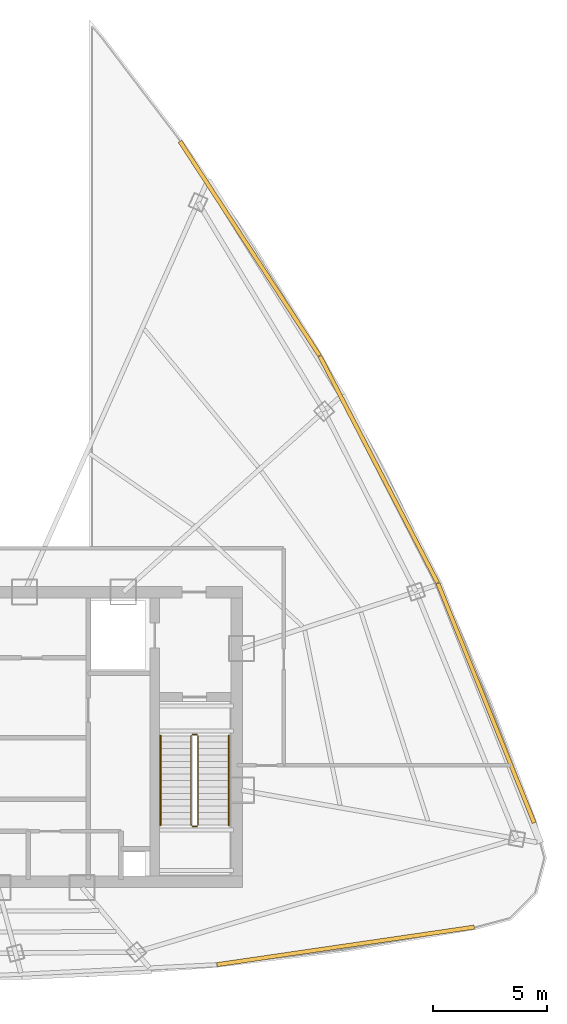
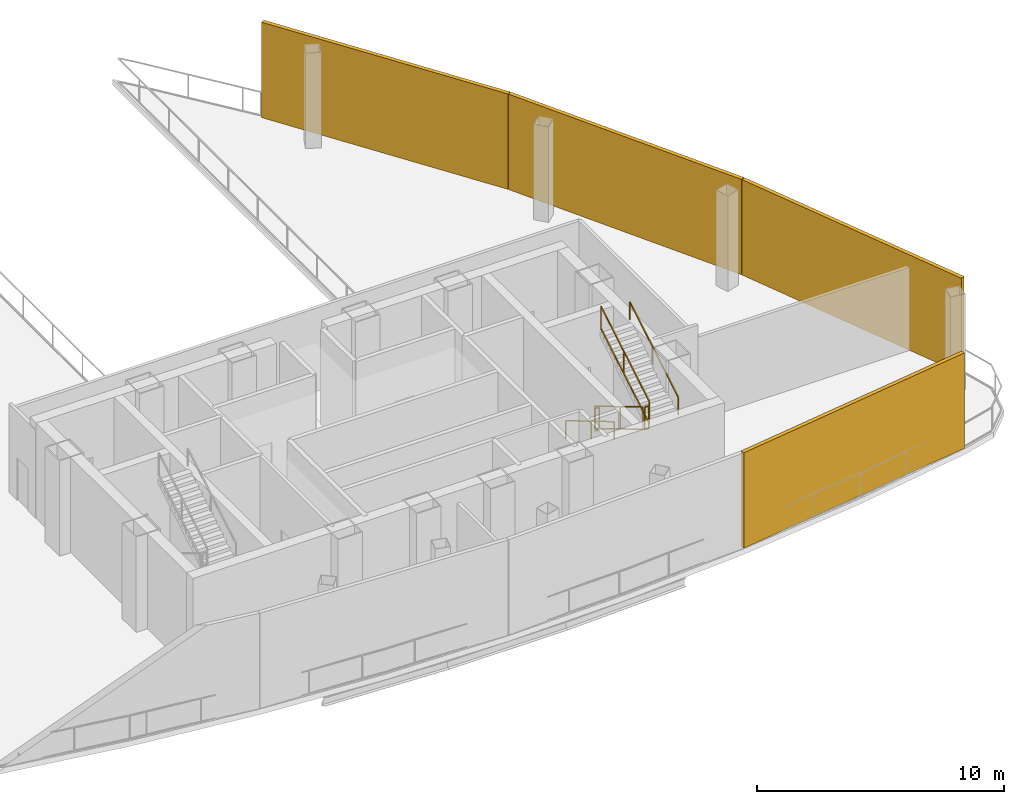
# One storey, part 6 of 6: 6 railings, 4 shading devices.
"""IFC4 building model written with IfcOpenShell, lengths in metres."""

from ifc_helpers import new_model, si_unit, direction, frame, origin, origin_2d, place, context, subcontext, project, spatial, rectangle, extrude, source, transform, mapped, material, layer, layer_set, type_object, element, save


model = new_model("IFC4")

# Units and contexts
model_context = context("Model", 3, precision=1e-05, world=origin(), true_north=direction((0.0, 1.0)))
body_context = subcontext(model_context, "Body", "Model", "MODEL_VIEW")
ifc_project = project(units=[si_unit("LENGTHUNIT", "METRE"), si_unit("AREAUNIT", "SQUARE_METRE"), si_unit("VOLUMEUNIT", "CUBIC_METRE"), si_unit("PLANEANGLEUNIT", "RADIAN"), si_unit("MASSUNIT", "GRAM", prefix="KILO"), si_unit("THERMODYNAMICTEMPERATUREUNIT", "KELVIN"), si_unit("POWERUNIT", "WATT")], contexts=[model_context])

# Site, building, storey
site_placement = place(None, origin())
site = spatial("IfcSite", under=ifc_project, at=site_placement, CompositionType="ELEMENT")
building_placement = place(site_placement, origin())
building = spatial("IfcBuilding", under=site, at=building_placement, Name="Yunzhuo Pagoda Commons", CompositionType="ELEMENT")
storey_placement = place(building_placement, frame((0.0, 0.0, 381.760009765625)))
storey = spatial("IfcBuildingStorey", under=building, at=storey_placement, Name="L95", CompositionType="ELEMENT", Elevation=381.760009765625)

# Railings
ifc_material = material(Name="Anodized aluminium 6063-T6", Category="aluminium")
railing_type_1 = type_object("IfcRailingType", Name="GR-ST2 Stair Well Guardrail 1160", PredefinedType="GUARDRAIL", material=ifc_material)
railing_1_placement = place(storey_placement, frame((58.199951171875, 33.89990234375, 0.166748046875)))
element("IfcRailing", 1, at=railing_1_placement, inside=storey, type_object=railing_type_1, Name="L95 ST2 stair guard 1", PredefinedType="GUARDRAIL", context=body_context, shape_type="SweptSolid", body=[
    extrude(rectangle(XDim=0.048095703125, YDim=0.048095703125, at=origin_2d()), frame((0.0, 0.0, 1.1259765625), z_axis=(0.0, -0.859296244711, 0.511478214419), x_axis=(1.0, 0.0, 0.0)), (0.0, 0.0, 1.0), 4.561767578125),
    extrude(rectangle(XDim=0.048095703125, YDim=0.048095703125, at=origin_2d()), frame((0.0, 0.0, 0.02392578125), z_axis=(0.0, -0.859296244711, 0.511478214419), x_axis=(1.0, 0.0, 0.0)), (0.0, 0.0, 1.0), 4.561767578125),
    extrude(rectangle(XDim=0.0419921875, YDim=0.0419921875, at=origin_2d()), origin(), (0.0, 0.0, 1.0), 1.101806640625),
    extrude(rectangle(XDim=0.0419921875, YDim=0.0419921875, at=origin_2d()), frame((0.0, -2.062255859375, 1.2275390625)), (0.0, 0.0, 1.0), 1.101806640625),
    extrude(rectangle(XDim=0.0419921875, YDim=0.0419921875, at=origin_2d()), frame((0.0, -3.919921875, 2.333251953125)), (0.0, 0.0, 1.0), 1.101806640625),
])
railing_2_placement = place(storey_placement, frame((58.25, 29.929931640625, 2.5)))
element("IfcRailing", 2, at=railing_2_placement, inside=storey, type_object=railing_type_1, Name="L95 ST2 stair guard 2", PredefinedType="GUARDRAIL", context=body_context, shape_type="SweptSolid", body=[
    extrude(rectangle(XDim=0.048095703125, YDim=0.048095703125, at=origin_2d()), frame((0.0, 0.0, 1.1259765625), z_axis=(1.0, 0.0, 0.0), x_axis=(0.0, 1.0, 0.0)), (0.0, 0.0, 1.0), 0.199951171875),
    extrude(rectangle(XDim=0.048095703125, YDim=0.048095703125, at=origin_2d()), frame((0.0, 0.0, 0.02392578125), z_axis=(1.0, 0.0, 0.0), x_axis=(0.0, 1.0, 0.0)), (0.0, 0.0, 1.0), 0.199951171875),
    extrude(rectangle(XDim=0.0419921875, YDim=0.0419921875, at=origin_2d()), origin(), (0.0, 0.0, 1.0), 1.101806640625),
    extrude(rectangle(XDim=0.0419921875, YDim=0.0419921875, at=origin_2d()), frame((0.199951171875, 0.0, 0.0)), (0.0, 0.0, 1.0), 1.101806640625),
])
railing_3_placement = place(storey_placement, frame((58.5, 29.97998046875, 2.666748046875)))
element("IfcRailing", 3, at=railing_3_placement, inside=storey, type_object=railing_type_1, Name="L95 ST2 stair guard 3", PredefinedType="GUARDRAIL", context=body_context, shape_type="SweptSolid", body=[
    extrude(rectangle(XDim=0.048095703125, YDim=0.048095703125, at=origin_2d()), frame((0.0, 0.0, 1.1259765625), z_axis=(0.0, 0.859296244711, 0.511478214419), x_axis=(-1.0, 0.0, 0.0)), (0.0, 0.0, 1.0), 4.561767578125),
    extrude(rectangle(XDim=0.048095703125, YDim=0.048095703125, at=origin_2d()), frame((0.0, 0.0, 0.02392578125), z_axis=(0.0, 0.859296244711, 0.511478214419), x_axis=(-1.0, 0.0, 0.0)), (0.0, 0.0, 1.0), 4.561767578125),
    extrude(rectangle(XDim=0.0419921875, YDim=0.0419921875, at=origin_2d()), origin(), (0.0, 0.0, 1.0), 1.101806640625),
    extrude(rectangle(XDim=0.0419921875, YDim=0.0419921875, at=origin_2d()), frame((0.0, 2.062255859375, 1.2275390625)), (0.0, 0.0, 1.0), 1.101806640625),
    extrude(rectangle(XDim=0.0419921875, YDim=0.0419921875, at=origin_2d()), frame((0.0, 3.919921875, 2.333251953125)), (0.0, 0.0, 1.0), 1.101806640625),
])
railing_4_placement = place(storey_placement, frame((58.25, 33.949951171875, 0.0)))
element("IfcRailing", 4, at=railing_4_placement, inside=storey, type_object=railing_type_1, Name="L95 ST2 stair guard 4", PredefinedType="GUARDRAIL", context=body_context, shape_type="SweptSolid", body=[
    extrude(rectangle(XDim=0.048095703125, YDim=0.048095703125, at=origin_2d()), frame((0.0, 0.0, 1.1259765625), z_axis=(1.0, 0.0, 0.0), x_axis=(0.0, 1.0, 0.0)), (0.0, 0.0, 1.0), 0.199951171875),
    extrude(rectangle(XDim=0.048095703125, YDim=0.048095703125, at=origin_2d()), frame((0.0, 0.0, 0.02392578125), z_axis=(1.0, 0.0, 0.0), x_axis=(0.0, 1.0, 0.0)), (0.0, 0.0, 1.0), 0.199951171875),
    extrude(rectangle(XDim=0.0419921875, YDim=0.0419921875, at=origin_2d()), origin(), (0.0, 0.0, 1.0), 1.101806640625),
    extrude(rectangle(XDim=0.0419921875, YDim=0.0419921875, at=origin_2d()), frame((0.199951171875, 0.0, 0.0)), (0.0, 0.0, 1.0), 1.101806640625),
])
railing_type_2 = type_object("IfcRailingType", Name="HR-ST2 Stair Handrail 900", PredefinedType="HANDRAIL", material=ifc_material)
railing_5_placement = place(storey_placement, frame((56.85009765625, 33.89990234375, 0.166748046875)))
element("IfcRailing", 5, at=railing_5_placement, inside=storey, type_object=railing_type_2, Name="L95 ST2 stair handrail 1", PredefinedType="HANDRAIL", context=body_context, shape_type="SweptSolid", body=[
    extrude(rectangle(XDim=0.048095703125, YDim=0.048095703125, at=origin_2d()), frame((0.0, 0.0, 0.8759765625), z_axis=(0.0, -0.859296244711, 0.511478214419), x_axis=(1.0, 0.0, 0.0)), (0.0, 0.0, 1.0), 4.561767578125),
    extrude(rectangle(XDim=0.0419921875, YDim=0.0419921875, at=origin_2d()), origin(), (0.0, 0.0, 1.0), 0.851806640625),
    extrude(rectangle(XDim=0.0419921875, YDim=0.0419921875, at=origin_2d()), frame((0.0, -2.062255859375, 1.2275390625)), (0.0, 0.0, 1.0), 0.851806640625),
    extrude(rectangle(XDim=0.0419921875, YDim=0.0419921875, at=origin_2d()), frame((0.0, -3.919921875, 2.333251953125)), (0.0, 0.0, 1.0), 0.851806640625),
])
railing_6_placement = place(storey_placement, frame((59.85009765625, 29.97998046875, 2.666748046875)))
element("IfcRailing", 6, at=railing_6_placement, inside=storey, type_object=railing_type_2, Name="L95 ST2 stair handrail 2", PredefinedType="HANDRAIL", context=body_context, shape_type="SweptSolid", body=[
    extrude(rectangle(XDim=0.048095703125, YDim=0.048095703125, at=origin_2d()), frame((0.0, 0.0, 0.8759765625), z_axis=(0.0, 0.859296244711, 0.511478214419), x_axis=(-1.0, 0.0, 0.0)), (0.0, 0.0, 1.0), 4.561767578125),
    extrude(rectangle(XDim=0.0419921875, YDim=0.0419921875, at=origin_2d()), origin(), (0.0, 0.0, 1.0), 0.851806640625),
    extrude(rectangle(XDim=0.0419921875, YDim=0.0419921875, at=origin_2d()), frame((0.0, 2.062255859375, 1.2275390625)), (0.0, 0.0, 1.0), 0.851806640625),
    extrude(rectangle(XDim=0.0419921875, YDim=0.0419921875, at=origin_2d()), frame((0.0, 3.919921875, 2.333251953125)), (0.0, 0.0, 1.0), 0.851806640625),
])

# Shading devices
ifc_layer = layer(ifc_material, 0.179931640625)
ifc_layer_set = layer_set([ifc_layer], Name="Anodized aluminium 6063-T6")
shading_device_type = type_object("IfcShadingDeviceType", Name="SH-SCR2 Crown Drum Acoustic Louvre Screen", PredefinedType="JALOUSIE", material=ifc_layer_set)
shared_shape_1 = source(origin(), body_context, "Body", "SweptSolid", [
    extrude(rectangle(XDim=11.403076171875, YDim=0.179931640625, at=origin_2d()), origin(), (0.0, 0.0, 1.0), 4.719970703125),
])
shading_device_1_placement = place(storey_placement, frame((64.96728515625, 24.690185546875, 0.0), z_axis=(0.0, 0.0, 1.0), x_axis=(0.989510666697, 0.144459823108, 0.0)))
element("IfcShadingDevice", 7, at=shading_device_1_placement, inside=storey, type_object=shading_device_type, Name="L95 wind portal wing louvre screen F1.4", PredefinedType="JALOUSIE", context=body_context, shape_type="MappedRepresentation", body=[
    mapped(shared_shape_1, transform((0.0, 0.0, 0.0), scale=1.0)),
])
shared_shape_2 = source(origin(), body_context, "Body", "SweptSolid", [
    extrude(rectangle(XDim=11.311279296875, YDim=0.179931640625, at=origin_2d()), origin(), (0.0, 0.0, 1.0), 4.719970703125),
])
shading_device_2_placement = place(storey_placement, frame((71.122802734375, 35.330078125, 0.0), z_axis=(0.0, 0.0, 1.0), x_axis=(-0.372987782576, 0.927836253899, 0.0)))
element("IfcShadingDevice", 8, at=shading_device_2_placement, inside=storey, type_object=shading_device_type, Name="L95 wind portal wing louvre screen F2.1", PredefinedType="JALOUSIE", context=body_context, shape_type="MappedRepresentation", body=[
    mapped(shared_shape_2, transform((0.0, 0.0, 0.0), scale=1.0)),
])
shared_shape_3 = source(origin(), body_context, "Body", "SweptSolid", [
    extrude(rectangle(XDim=11.203857421875, YDim=0.179931640625, at=origin_2d()), origin(), (0.0, 0.0, 1.0), 4.719970703125),
])
for number, where, z_axis, x_axis, name in (
    (9, (66.417724609375, 45.57421875, 0.0), (0.0, 0.0, 1.0), (-0.461206683033, 0.88729273384, 0.0), "L95 wind portal wing louvre screen F2.2"),
    (10, (60.76220703125, 55.2626953125, 0.0), (0.0, 0.0, 1.0), (-0.545853380833, 0.837880711458, 0.0), "L95 wind portal wing louvre screen F2.3"),
):
    element("IfcShadingDevice", number, at=place(storey_placement, frame(where, z_axis=z_axis, x_axis=x_axis)), inside=storey, type_object=shading_device_type, Name=name, PredefinedType="JALOUSIE", context=body_context, shape_type="MappedRepresentation", body=[
        mapped(shared_shape_3, transform((0.0, 0.0, 0.0), scale=1.0)),
    ])

save(model, "model.ifc")
